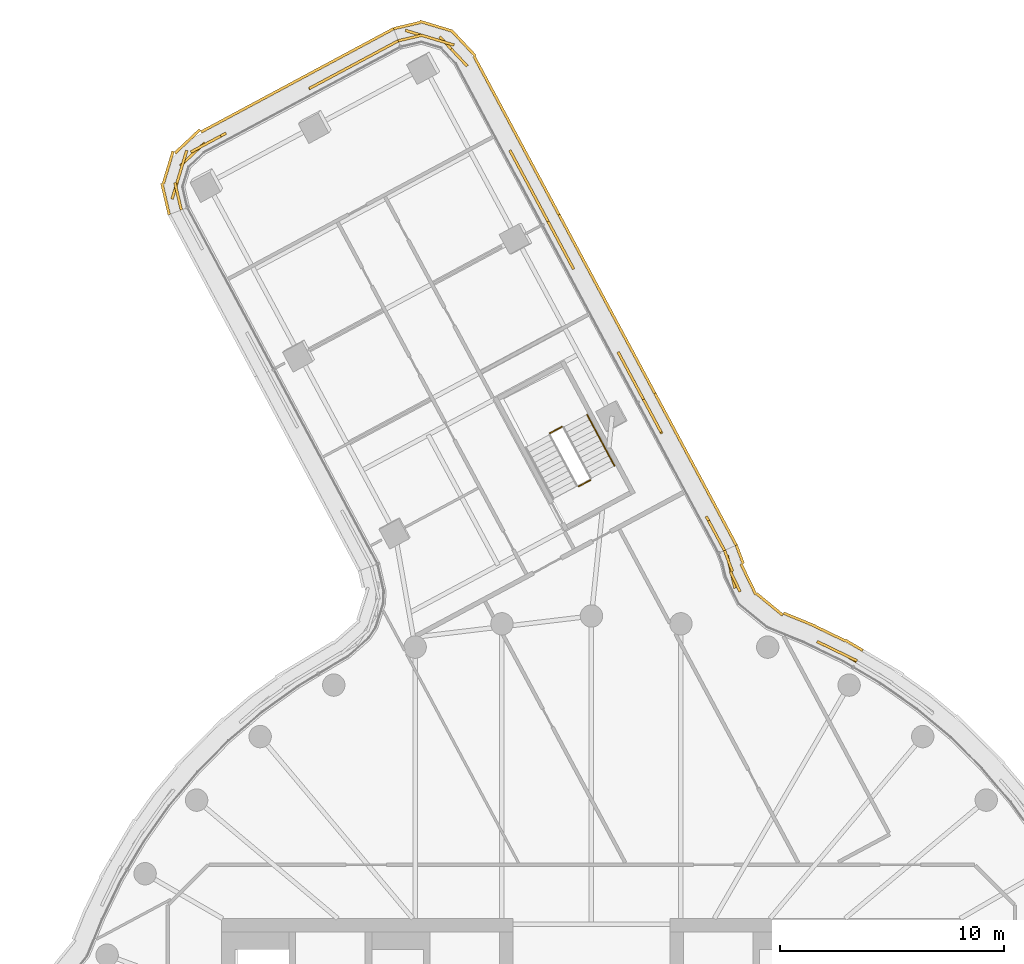
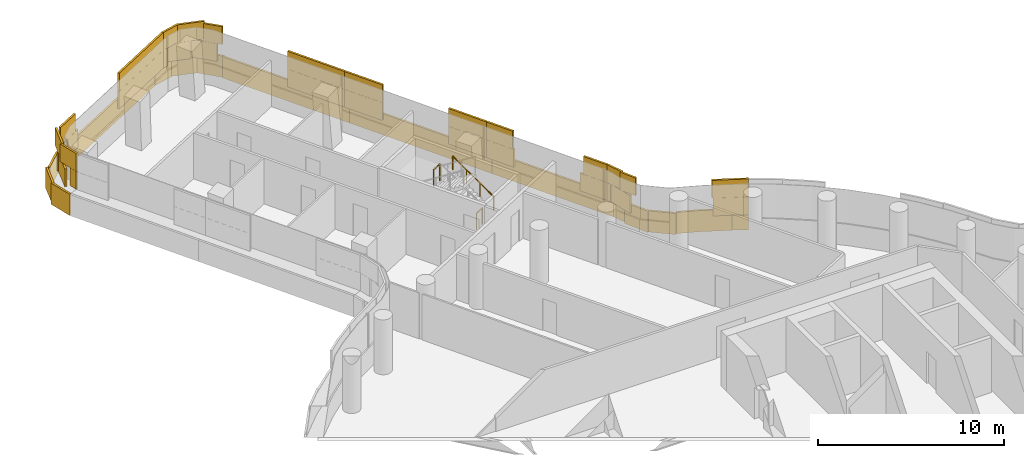
# One storey, part 32 of 33: 5 coverings, 3 railings.
"""IFC4 building model written with IfcOpenShell, lengths in metres."""

from ifc_helpers import new_model, si_unit, direction, frame, origin, origin_2d, place, context, subcontext, project, spatial, rectangle, circle, extrude, material, layer, layer_set, type_object, element, save


model = new_model("IFC4")

# Units and contexts
model_context = context("Model", 3, precision=1e-05, world=origin(), true_north=direction((0.0, 1.0)))
body_context = subcontext(model_context, "Body", "Model", "MODEL_VIEW")
ifc_project = project(units=[si_unit("LENGTHUNIT", "METRE"), si_unit("AREAUNIT", "SQUARE_METRE"), si_unit("VOLUMEUNIT", "CUBIC_METRE"), si_unit("PLANEANGLEUNIT", "RADIAN"), si_unit("MASSUNIT", "GRAM", prefix="KILO")], contexts=[model_context])

# Site, building, storey
site_placement = place(None, origin())
site = spatial("IfcSite", under=ifc_project, at=site_placement, CompositionType="ELEMENT")
building_placement = place(site_placement, origin())
building = spatial("IfcBuilding", under=site, at=building_placement, Name="Tamarind Cross Interchange Tower", CompositionType="ELEMENT")
storey_placement = place(building_placement, frame((0.0, 0.0, 136.75)))
storey = spatial("IfcBuildingStorey", under=building, at=storey_placement, Name="L33", CompositionType="ELEMENT", Elevation=136.75)

# Railings
ifc_material_1 = material(Name="Stair guard")
railing_type_1 = type_object("IfcRailingType", Name="Stair guard", PredefinedType="GUARDRAIL", material=ifc_material_1)
railing_1_placement = place(storey_placement, frame((-1.322509765625, 31.44677734375, 1.875)))
element("IfcRailing", 1, at=railing_1_placement, inside=storey, type_object=railing_type_1, Name="L33 ST4 stair guard 2", PredefinedType="GUARDRAIL", context=body_context, shape_type="SweptSolid", body=[
    extrude(circle(Radius=0.02392578125, at=origin_2d()), frame((0.0, 0.0, 1.076171875), z_axis=(-0.881371060373, -0.472424654244, 0.0), x_axis=(0.472424654244, -0.881371060373, 0.0)), (0.0, 0.0, 1.0), 0.60009765625),
    extrude(circle(Radius=0.02099609375, at=origin_2d()), origin(), (0.0, 0.0, 1.0), 1.052001953125),
    extrude(circle(Radius=0.02099609375, at=origin_2d()), frame((-0.52880859375, -0.283447265625, 0.0)), (0.0, 0.0, 1.0), 1.052001953125),
])
railing_2_placement = place(storey_placement, frame((-0.04638671875, 29.067626953125, 0.0)))
element("IfcRailing", 2, at=railing_2_placement, inside=storey, type_object=railing_type_1, Name="L33 ST4 stair guard 4", PredefinedType="GUARDRAIL", context=body_context, shape_type="SweptSolid", body=[
    extrude(circle(Radius=0.02392578125, at=origin_2d()), frame((0.0, 0.0, 1.076171875), z_axis=(-0.881110636147, -0.472910189008, 0.0), x_axis=(0.472910189008, -0.881110636147, 0.0)), (0.0, 0.0, 1.0), 0.599853515625),
    extrude(circle(Radius=0.02099609375, at=origin_2d()), origin(), (0.0, 0.0, 1.0), 1.052001953125),
    extrude(circle(Radius=0.02099609375, at=origin_2d()), frame((-0.528564453125, -0.28369140625, 0.0)), (0.0, 0.0, 1.0), 1.052001953125),
])
ifc_material_2 = material(Name="Stair handrail")
railing_type_2 = type_object("IfcRailingType", Name="Stair handrail", PredefinedType="HANDRAIL", material=ifc_material_2)
railing_3_placement = place(storey_placement, frame((1.031494140625, 29.702392578125, 0.17041015625)))
element("IfcRailing", 3, at=railing_3_placement, inside=storey, type_object=railing_type_2, Name="L33 ST4 stair handrail 1", PredefinedType="HANDRAIL", context=body_context, shape_type="SweptSolid", body=[
    extrude(circle(Radius=0.02392578125, at=origin_2d()), frame((0.0, 0.0, 0.8759765625), z_axis=(-0.395303833434, 0.73697387302, 0.548274009742), x_axis=(-0.88123277385, -0.47268255552, 0.0)), (0.0, 0.0, 1.0), 3.109130859375),
    extrude(circle(Radius=0.02099609375, at=origin_2d()), origin(), (0.0, 0.0, 1.0), 0.851806640625),
    extrude(circle(Radius=0.02099609375, at=origin_2d()), frame((-0.40966796875, 0.763671875, 0.568115234375)), (0.0, 0.0, 1.0), 0.851806640625),
    extrude(circle(Radius=0.02099609375, at=origin_2d()), frame((-0.8193359375, 1.527587890625, 1.136474609375)), (0.0, 0.0, 1.0), 0.851806640625),
    extrude(circle(Radius=0.02099609375, at=origin_2d()), frame((-1.22900390625, 2.291259765625, 1.70458984375)), (0.0, 0.0, 1.0), 0.851806640625),
])

# Coverings
ifc_material_3 = material(Name="Terracotta", Category="masonry")
ifc_layer = layer(ifc_material_3, 0.1201171875)
ifc_layer_set = layer_set([ifc_layer], Name="Terracotta")
covering_type = type_object("IfcCoveringType", Name="Terracotta baguette screen unit", PredefinedType="MOLDING", material=ifc_layer_set)
covering_1_placement = place(storey_placement, origin())
element("IfcCovering", 4, at=covering_1_placement, inside=storey, type_object=covering_type, Name="SCR-L33-00-00", PredefinedType="MOLDING", context=body_context, shape_type="SweptSolid", body=[
    extrude(rectangle(XDim=0.760009765625, YDim=0.1201171875, at=origin_2d()), frame((-8.949951171875, 48.494140625, 1.404052734375), z_axis=(0.0, 0.0, 1.0), x_axis=(-0.881224263054, -0.472698422046, 0.0)), (0.0, 0.0, 1.0), 1.1669921875),
    extrude(rectangle(XDim=1.52001953125, YDim=0.1201171875, at=origin_2d()), frame((-9.94140625, 47.96240234375, 1.404052734375), z_axis=(0.0, 0.0, 1.0), x_axis=(-0.881224263054, -0.472698422046, 0.0)), (0.0, 0.0, 1.0), 1.1669921875),
    extrude(rectangle(XDim=1.52001953125, YDim=0.1201171875, at=origin_2d()), frame((-11.26318359375, 47.25341796875, 1.404052734375), z_axis=(0.0, 0.0, 1.0), x_axis=(-0.881224263054, -0.472698422046, 0.0)), (0.0, 0.0, 1.0), 1.1669921875),
    extrude(rectangle(XDim=0.784912109375, YDim=0.1201171875, at=origin_2d()), frame((-12.265625, 46.7158203125, 1.404052734375), z_axis=(0.0, 0.0, 1.0), x_axis=(-0.881224263054, -0.472698422046, 0.0)), (0.0, 0.0, 1.0), 1.1669921875),
    extrude(rectangle(XDim=1.03515625, YDim=0.1201171875, at=origin_2d()), frame((-16.759765625, 44.304931640625, 1.404052734375), z_axis=(0.0, 0.0, 1.0), x_axis=(-0.881224263054, -0.472698422046, 0.0)), (0.0, 0.0, 1.0), 1.1669921875),
    extrude(rectangle(XDim=1.52001953125, YDim=0.1201171875, at=origin_2d()), frame((-17.7998046875, 43.607177734375, 1.404052734375), z_axis=(0.0, 0.0, 1.0), x_axis=(-0.728853920221, -0.684669236185, 0.0)), (0.0, 0.0, 1.0), 1.1669921875),
    extrude(rectangle(XDim=1.52001953125, YDim=0.1201171875, at=origin_2d()), frame((-18.494873046875, 42.33349609375, 1.404052734375), z_axis=(0.0, 0.0, 1.0), x_axis=(-0.288871392467, -0.957367911837, 0.0)), (0.0, 0.0, 1.0), 1.1669921875),
    extrude(rectangle(XDim=0.509521484375, YDim=0.1201171875, at=origin_2d()), frame((-18.358642578125, 41.363037109375, 1.404052734375), z_axis=(0.0, 0.0, 1.0), x_axis=(0.228513991615, -0.973540628652, 0.0)), (0.0, 0.0, 1.0), 1.1669921875),
    extrude(rectangle(XDim=1.510009765625, YDim=0.1201171875, at=origin_2d()), frame((-9.280517578125, 48.31689453125, 2.5791015625), z_axis=(0.0, 0.0, 1.0), x_axis=(-0.881224263054, -0.472698422046, 0.0)), (0.0, 0.0, 1.0), 1.1669921875),
    extrude(rectangle(XDim=1.52001953125, YDim=0.1201171875, at=origin_2d()), frame((-10.602294921875, 47.60791015625, 2.5791015625), z_axis=(0.0, 0.0, 1.0), x_axis=(-0.881224263054, -0.472698422046, 0.0)), (0.0, 0.0, 1.0), 1.1669921875),
    extrude(rectangle(XDim=1.52001953125, YDim=0.1201171875, at=origin_2d()), frame((-11.924072265625, 46.89892578125, 2.5791015625), z_axis=(0.0, 0.0, 1.0), x_axis=(-0.881224263054, -0.472698422046, 0.0)), (0.0, 0.0, 1.0), 1.1669921875),
    extrude(rectangle(XDim=1.52001953125, YDim=0.1201171875, at=origin_2d()), frame((-17.21142578125, 44.062744140625, 2.5791015625), z_axis=(0.0, 0.0, 1.0), x_axis=(-0.881224263054, -0.472698422046, 0.0)), (0.0, 0.0, 1.0), 1.1669921875),
    extrude(rectangle(XDim=1.52001953125, YDim=0.1201171875, at=origin_2d()), frame((-18.2783203125, 43.051513671875, 2.5791015625), z_axis=(0.0, 0.0, 1.0), x_axis=(-0.288871392467, -0.957367911837, 0.0)), (0.0, 0.0, 1.0), 1.1669921875),
    extrude(rectangle(XDim=1.259521484375, YDim=0.1201171875, at=origin_2d()), frame((-18.4443359375, 41.72802734375, 2.5791015625), z_axis=(0.0, 0.0, 1.0), x_axis=(0.228513991615, -0.973540628652, 0.0)), (0.0, 0.0, 1.0), 1.1669921875),
    extrude(rectangle(XDim=0.760009765625, YDim=0.1201171875, at=origin_2d()), frame((-9.1591796875, 49.033447265625, 0.00390625), z_axis=(0.0, 0.0, 1.0), x_axis=(-0.881224263054, -0.472698422046, 0.0)), (0.0, 0.0, 1.0), 1.39208984375),
    extrude(rectangle(XDim=1.52001953125, YDim=0.1201171875, at=origin_2d()), frame((-10.14599609375, 48.50390625, 0.00390625), z_axis=(0.0, 0.0, 1.0), x_axis=(-0.881224263054, -0.472698422046, 0.0)), (0.0, 0.0, 1.0), 1.39208984375),
    extrude(rectangle(XDim=1.52001953125, YDim=0.1201171875, at=origin_2d()), frame((-11.468017578125, 47.794921875, 0.00390625), z_axis=(0.0, 0.0, 1.0), x_axis=(-0.881224263054, -0.472698422046, 0.0)), (0.0, 0.0, 1.0), 1.39208984375),
    extrude(rectangle(XDim=1.52001953125, YDim=0.1201171875, at=origin_2d()), frame((-12.789794921875, 47.0859375, 0.00390625), z_axis=(0.0, 0.0, 1.0), x_axis=(-0.881224263054, -0.472698422046, 0.0)), (0.0, 0.0, 1.0), 1.39208984375),
    extrude(rectangle(XDim=1.52001953125, YDim=0.1201171875, at=origin_2d()), frame((-14.111572265625, 46.376953125, 0.00390625), z_axis=(0.0, 0.0, 1.0), x_axis=(-0.881224263054, -0.472698422046, 0.0)), (0.0, 0.0, 1.0), 1.39208984375),
    extrude(rectangle(XDim=1.52001953125, YDim=0.1201171875, at=origin_2d()), frame((-15.433349609375, 45.667724609375, 0.00390625), z_axis=(0.0, 0.0, 1.0), x_axis=(-0.881224263054, -0.472698422046, 0.0)), (0.0, 0.0, 1.0), 1.39208984375),
    extrude(rectangle(XDim=1.52001953125, YDim=0.1201171875, at=origin_2d()), frame((-16.75537109375, 44.958740234375, 0.00390625), z_axis=(0.0, 0.0, 1.0), x_axis=(-0.881224263054, -0.472698422046, 0.0)), (0.0, 0.0, 1.0), 1.39208984375),
    extrude(rectangle(XDim=1.52001953125, YDim=0.1201171875, at=origin_2d()), frame((-18.027587890625, 44.180908203125, 0.00390625), z_axis=(0.0, 0.0, 1.0), x_axis=(-0.728853920221, -0.684669236185, 0.0)), (0.0, 0.0, 1.0), 1.39208984375),
    extrude(rectangle(XDim=1.52001953125, YDim=0.1201171875, at=origin_2d()), frame((-18.89013671875, 43.0107421875, 0.00390625), z_axis=(0.0, 0.0, 1.0), x_axis=(-0.288871392467, -0.957367911837, 0.0)), (0.0, 0.0, 1.0), 1.39208984375),
    extrude(rectangle(XDim=1.426513671875, YDim=0.1201171875, at=origin_2d()), frame((-19.00634765625, 41.60986328125, 0.00390625), z_axis=(0.0, 0.0, 1.0), x_axis=(0.228513991615, -0.973540628652, 0.0)), (0.0, 0.0, 1.0), 1.39208984375),
])
covering_2_placement = place(storey_placement, origin())
element("IfcCovering", 5, at=covering_2_placement, inside=storey, type_object=covering_type, Name="SCR-L33-14-01", PredefinedType="MOLDING", context=body_context, shape_type="SweptSolid", body=[
    extrude(rectangle(XDim=0.41064453125, YDim=0.1201171875, at=origin_2d()), frame((11.6533203125, 21.06640625, 1.404052734375), z_axis=(0.0, 0.0, 1.0), x_axis=(-0.861248933065, 0.508183308752, 0.0)), (0.0, 0.0, 1.0), 1.1669921875),
    extrude(rectangle(XDim=1.52001953125, YDim=0.1201171875, at=origin_2d()), frame((10.810546875, 21.50390625, 1.404052734375), z_axis=(0.0, 0.0, 1.0), x_axis=(-0.900272776334, 0.435326231914, 0.0)), (0.0, 0.0, 1.0), 1.1669921875),
    extrude(rectangle(XDim=1.52001953125, YDim=0.1201171875, at=origin_2d()), frame((6.2333984375, 24.978759765625, 1.404052734375), z_axis=(0.0, 0.0, 1.0), x_axis=(-0.228513991615, 0.973540628652, 0.0)), (0.0, 0.0, 1.0), 1.1669921875),
    extrude(rectangle(XDim=0.254150390625, YDim=0.1201171875, at=origin_2d()), frame((5.982666015625, 25.81201171875, 1.404052734375), z_axis=(0.0, 0.0, 1.0), x_axis=(-0.353631573969, 0.935384792421, 0.0)), (0.0, 0.0, 1.0), 1.1669921875),
    extrude(rectangle(XDim=1.16064453125, YDim=0.1201171875, at=origin_2d()), frame((11.328369140625, 21.25341796875, 2.5791015625), z_axis=(0.0, 0.0, 1.0), x_axis=(-0.900272776334, 0.435326231914, 0.0)), (0.0, 0.0, 1.0), 1.1669921875),
    extrude(rectangle(XDim=0.831787109375, YDim=0.1201171875, at=origin_2d()), frame((10.440673828125, 21.682861328125, 2.5791015625), z_axis=(0.0, 0.0, 1.0), x_axis=(-0.900272776334, 0.435326231914, 0.0)), (0.0, 0.0, 1.0), 1.1669921875),
    extrude(rectangle(XDim=0.98828125, YDim=0.1201171875, at=origin_2d()), frame((6.421875, 24.52978515625, 2.5791015625), z_axis=(0.0, 0.0, 1.0), x_axis=(-0.435397658199, 0.900238234711, 0.0)), (0.0, 0.0, 1.0), 1.1669921875),
    extrude(rectangle(XDim=1.004150390625, YDim=0.1201171875, at=origin_2d()), frame((6.115234375, 25.46142578125, 2.5791015625), z_axis=(0.0, 0.0, 1.0), x_axis=(-0.353631573969, 0.935384792421, 0.0)), (0.0, 0.0, 1.0), 1.1669921875),
    extrude(rectangle(XDim=0.914794921875, YDim=0.1201171875, at=origin_2d()), frame((11.7138671875, 21.697265625, 0.00390625), z_axis=(0.0, 0.0, 1.0), x_axis=(-0.861248933065, 0.508183308752, 0.0)), (0.0, 0.0, 1.0), 1.39208984375),
    extrude(rectangle(XDim=1.52001953125, YDim=0.1201171875, at=origin_2d()), frame((10.63916015625, 22.224365234375, 0.00390625), z_axis=(0.0, 0.0, 1.0), x_axis=(-0.900272776334, 0.435326231914, 0.0)), (0.0, 0.0, 1.0), 1.39208984375),
    extrude(rectangle(XDim=1.52001953125, YDim=0.1201171875, at=origin_2d()), frame((9.27392578125, 22.844482421875, 0.00390625), z_axis=(0.0, 0.0, 1.0), x_axis=(-0.925394198634, 0.379006038387, 0.0)), (0.0, 0.0, 1.0), 1.39208984375),
    extrude(rectangle(XDim=1.52001953125, YDim=0.1201171875, at=origin_2d()), frame((7.95068359375, 23.521484375, 0.00390625), z_axis=(0.0, 0.0, 1.0), x_axis=(-0.772623877256, 0.634864036069, 0.0)), (0.0, 0.0, 1.0), 1.39208984375),
    extrude(rectangle(XDim=1.52001953125, YDim=0.1201171875, at=origin_2d()), frame((7.00537109375, 24.641845703125, 0.00390625), z_axis=(0.0, 0.0, 1.0), x_axis=(-0.435397658199, 0.900238234711, 0.0)), (0.0, 0.0, 1.0), 1.39208984375),
    extrude(rectangle(XDim=0.882568359375, YDim=0.1201171875, at=origin_2d()), frame((6.619140625, 25.751708984375, 0.00390625), z_axis=(0.0, 0.0, 1.0), x_axis=(-0.353631573969, 0.935384792421, 0.0)), (0.0, 0.0, 1.0), 1.39208984375),
])
covering_3_placement = place(storey_placement, origin())
element("IfcCovering", 6, at=covering_3_placement, inside=storey, type_object=covering_type, Name="SCR-L33-15-00", PredefinedType="MOLDING", context=body_context, shape_type="SweptSolid", body=[
    extrude(rectangle(XDim=0.760009765625, YDim=0.1201171875, at=origin_2d()), frame((5.76220703125, 26.2568359375, 1.404052734375), z_axis=(0.0, 0.0, 1.0), x_axis=(-0.472698422046, 0.881224263054, 0.0)), (0.0, 0.0, 1.0), 1.1669921875),
    extrude(rectangle(XDim=0.983642578125, YDim=0.1201171875, at=origin_2d()), frame((5.35498046875, 27.01611328125, 1.404052734375), z_axis=(0.0, 0.0, 1.0), x_axis=(-0.472698422046, 0.881224263054, 0.0)), (0.0, 0.0, 1.0), 1.1669921875),
    extrude(rectangle(XDim=0.83642578125, YDim=0.1201171875, at=origin_2d()), frame((2.944091796875, 31.510498046875, 1.404052734375), z_axis=(0.0, 0.0, 1.0), x_axis=(-0.472698422046, 0.881224263054, 0.0)), (0.0, 0.0, 1.0), 1.1669921875),
    extrude(rectangle(XDim=0.9072265625, YDim=0.1201171875, at=origin_2d()), frame((2.53662109375, 32.27001953125, 1.404052734375), z_axis=(0.0, 0.0, 1.0), x_axis=(-0.472698422046, 0.881224263054, 0.0)), (0.0, 0.0, 1.0), 1.1669921875),
    extrude(rectangle(XDim=1.510009765625, YDim=0.1201171875, at=origin_2d()), frame((5.5849609375, 26.587158203125, 2.5791015625), z_axis=(0.0, 0.0, 1.0), x_axis=(-0.472698422046, 0.881224263054, 0.0)), (0.0, 0.0, 1.0), 1.1669921875),
    extrude(rectangle(XDim=1.52001953125, YDim=0.1201171875, at=origin_2d()), frame((2.748779296875, 31.87451171875, 2.5791015625), z_axis=(0.0, 0.0, 1.0), x_axis=(-0.472698422046, 0.881224263054, 0.0)), (0.0, 0.0, 1.0), 1.1669921875),
    extrude(rectangle(XDim=0.1572265625, YDim=0.1201171875, at=origin_2d()), frame((2.359375, 32.600341796875, 2.5791015625), z_axis=(0.0, 0.0, 1.0), x_axis=(-0.472698422046, 0.881224263054, 0.0)), (0.0, 0.0, 1.0), 1.1669921875),
    extrude(rectangle(XDim=0.760009765625, YDim=0.1201171875, at=origin_2d()), frame((6.283447265625, 26.499267578125, 0.00390625), z_axis=(0.0, 0.0, 1.0), x_axis=(-0.472698422046, 0.881224263054, 0.0)), (0.0, 0.0, 1.0), 1.39208984375),
    extrude(rectangle(XDim=1.52001953125, YDim=0.1201171875, at=origin_2d()), frame((5.754150390625, 27.486328125, 0.00390625), z_axis=(0.0, 0.0, 1.0), x_axis=(-0.472698422046, 0.881224263054, 0.0)), (0.0, 0.0, 1.0), 1.39208984375),
    extrude(rectangle(XDim=1.52001953125, YDim=0.1201171875, at=origin_2d()), frame((5.044921875, 28.80810546875, 0.00390625), z_axis=(0.0, 0.0, 1.0), x_axis=(-0.472698422046, 0.881224263054, 0.0)), (0.0, 0.0, 1.0), 1.39208984375),
    extrude(rectangle(XDim=1.52001953125, YDim=0.1201171875, at=origin_2d()), frame((4.3359375, 30.1298828125, 0.00390625), z_axis=(0.0, 0.0, 1.0), x_axis=(-0.472698422046, 0.881224263054, 0.0)), (0.0, 0.0, 1.0), 1.39208984375),
    extrude(rectangle(XDim=1.52001953125, YDim=0.1201171875, at=origin_2d()), frame((3.626953125, 31.451904296875, 0.00390625), z_axis=(0.0, 0.0, 1.0), x_axis=(-0.472698422046, 0.881224263054, 0.0)), (0.0, 0.0, 1.0), 1.39208984375),
    extrude(rectangle(XDim=0.942138671875, YDim=0.1201171875, at=origin_2d()), frame((3.054443359375, 32.51904296875, 0.00390625), z_axis=(0.0, 0.0, 1.0), x_axis=(-0.472698422046, 0.881224263054, 0.0)), (0.0, 0.0, 1.0), 1.39208984375),
])
covering_4_placement = place(storey_placement, origin())
element("IfcCovering", 7, at=covering_4_placement, inside=storey, type_object=covering_type, Name="SCR-L33-15-01", PredefinedType="MOLDING", context=body_context, shape_type="SweptSolid", body=[
    extrude(rectangle(XDim=0.61279296875, YDim=0.1201171875, at=origin_2d()), frame((2.18212890625, 32.930908203125, 1.404052734375), z_axis=(0.0, 0.0, 1.0), x_axis=(-0.472698422046, 0.881224263054, 0.0)), (0.0, 0.0, 1.0), 1.1669921875),
    extrude(rectangle(XDim=1.52001953125, YDim=0.1201171875, at=origin_2d()), frame((1.685302734375, 33.857421875, 1.404052734375), z_axis=(0.0, 0.0, 1.0), x_axis=(-0.472698422046, 0.881224263054, 0.0)), (0.0, 0.0, 1.0), 1.1669921875),
    extrude(rectangle(XDim=0.310546875, YDim=0.1201171875, at=origin_2d()), frame((1.259765625, 34.650634765625, 1.404052734375), z_axis=(0.0, 0.0, 1.0), x_axis=(-0.472698422046, 0.881224263054, 0.0)), (0.0, 0.0, 1.0), 1.1669921875),
    extrude(rectangle(XDim=1.509521484375, YDim=0.1201171875, at=origin_2d()), frame((-1.151123046875, 39.144775390625, 1.404052734375), z_axis=(0.0, 0.0, 1.0), x_axis=(-0.472698422046, 0.881224263054, 0.0)), (0.0, 0.0, 1.0), 1.1669921875),
    extrude(rectangle(XDim=0.91357421875, YDim=0.1201171875, at=origin_2d()), frame((-1.718994140625, 40.203857421875, 1.404052734375), z_axis=(0.0, 0.0, 1.0), x_axis=(-0.472698422046, 0.881224263054, 0.0)), (0.0, 0.0, 1.0), 1.1669921875),
    extrude(rectangle(XDim=1.36279296875, YDim=0.1201171875, at=origin_2d()), frame((2.0048828125, 33.26123046875, 2.5791015625), z_axis=(0.0, 0.0, 1.0), x_axis=(-0.472698422046, 0.881224263054, 0.0)), (0.0, 0.0, 1.0), 1.1669921875),
    extrude(rectangle(XDim=1.060546875, YDim=0.1201171875, at=origin_2d()), frame((1.43701171875, 34.320068359375, 2.5791015625), z_axis=(0.0, 0.0, 1.0), x_axis=(-0.472698422046, 0.881224263054, 0.0)), (0.0, 0.0, 1.0), 1.1669921875),
    extrude(rectangle(XDim=0.759521484375, YDim=0.1201171875, at=origin_2d()), frame((-0.973876953125, 38.814453125, 2.5791015625), z_axis=(0.0, 0.0, 1.0), x_axis=(-0.472698422046, 0.881224263054, 0.0)), (0.0, 0.0, 1.0), 1.1669921875),
    extrude(rectangle(XDim=1.52001953125, YDim=0.1201171875, at=origin_2d()), frame((-1.50537109375, 39.8056640625, 2.5791015625), z_axis=(0.0, 0.0, 1.0), x_axis=(-0.472698422046, 0.881224263054, 0.0)), (0.0, 0.0, 1.0), 1.1669921875),
    extrude(rectangle(XDim=0.16357421875, YDim=0.1201171875, at=origin_2d()), frame((-1.896240234375, 40.5341796875, 2.5791015625), z_axis=(0.0, 0.0, 1.0), x_axis=(-0.472698422046, 0.881224263054, 0.0)), (0.0, 0.0, 1.0), 1.1669921875),
    extrude(rectangle(XDim=0.577880859375, YDim=0.1201171875, at=origin_2d()), frame((2.6953125, 33.188720703125, 0.00390625), z_axis=(0.0, 0.0, 1.0), x_axis=(-0.472698422046, 0.881224263054, 0.0)), (0.0, 0.0, 1.0), 1.39208984375),
    extrude(rectangle(XDim=1.52001953125, YDim=0.1201171875, at=origin_2d()), frame((2.208740234375, 34.095458984375, 0.00390625), z_axis=(0.0, 0.0, 1.0), x_axis=(-0.472698422046, 0.881224263054, 0.0)), (0.0, 0.0, 1.0), 1.39208984375),
    extrude(rectangle(XDim=1.52001953125, YDim=0.1201171875, at=origin_2d()), frame((1.499755859375, 35.417236328125, 0.00390625), z_axis=(0.0, 0.0, 1.0), x_axis=(-0.472698422046, 0.881224263054, 0.0)), (0.0, 0.0, 1.0), 1.39208984375),
    extrude(rectangle(XDim=1.52001953125, YDim=0.1201171875, at=origin_2d()), frame((0.790771484375, 36.7392578125, 0.00390625), z_axis=(0.0, 0.0, 1.0), x_axis=(-0.472698422046, 0.881224263054, 0.0)), (0.0, 0.0, 1.0), 1.39208984375),
    extrude(rectangle(XDim=1.52001953125, YDim=0.1201171875, at=origin_2d()), frame((0.081787109375, 38.06103515625, 0.00390625), z_axis=(0.0, 0.0, 1.0), x_axis=(-0.472698422046, 0.881224263054, 0.0)), (0.0, 0.0, 1.0), 1.39208984375),
    extrude(rectangle(XDim=1.52001953125, YDim=0.1201171875, at=origin_2d()), frame((-0.62744140625, 39.3828125, 0.00390625), z_axis=(0.0, 0.0, 1.0), x_axis=(-0.472698422046, 0.881224263054, 0.0)), (0.0, 0.0, 1.0), 1.39208984375),
    extrude(rectangle(XDim=0.989501953125, YDim=0.1201171875, at=origin_2d()), frame((-1.2109375, 40.470947265625, 0.00390625), z_axis=(0.0, 0.0, 1.0), x_axis=(-0.472698422046, 0.881224263054, 0.0)), (0.0, 0.0, 1.0), 1.39208984375),
])
covering_5_placement = place(storey_placement, origin())
element("IfcCovering", 8, at=covering_5_placement, inside=storey, type_object=covering_type, Name="SCR-L33-15-02", PredefinedType="MOLDING", context=body_context, shape_type="SweptSolid", body=[
    extrude(rectangle(XDim=0.606201171875, YDim=0.1201171875, at=origin_2d()), frame((-2.073486328125, 40.86474609375, 1.404052734375), z_axis=(0.0, 0.0, 1.0), x_axis=(-0.472698422046, 0.881224263054, 0.0)), (0.0, 0.0, 1.0), 1.1669921875),
    extrude(rectangle(XDim=1.52001953125, YDim=0.1201171875, at=origin_2d()), frame((-2.569091796875, 41.788330078125, 1.404052734375), z_axis=(0.0, 0.0, 1.0), x_axis=(-0.472698422046, 0.881224263054, 0.0)), (0.0, 0.0, 1.0), 1.1669921875),
    extrude(rectangle(XDim=1.52001953125, YDim=0.1201171875, at=origin_2d()), frame((-3.278076171875, 43.110107421875, 1.404052734375), z_axis=(0.0, 0.0, 1.0), x_axis=(-0.472698422046, 0.881224263054, 0.0)), (0.0, 0.0, 1.0), 1.1669921875),
    extrude(rectangle(XDim=1.52001953125, YDim=0.1201171875, at=origin_2d()), frame((-6.252685546875, 48.298095703125, 1.404052734375), z_axis=(0.0, 0.0, 1.0), x_axis=(-0.684669236185, 0.728853920221, 0.0)), (0.0, 0.0, 1.0), 1.1669921875),
    extrude(rectangle(XDim=1.52001953125, YDim=0.1201171875, at=origin_2d()), frame((-7.574462890625, 48.915771484375, 1.404052734375), z_axis=(0.0, 0.0, 1.0), x_axis=(-0.957367911837, 0.288871392467, 0.0)), (0.0, 0.0, 1.0), 1.1669921875),
    extrude(rectangle(XDim=0.33349609375, YDim=0.1201171875, at=origin_2d()), frame((-8.462158203125, 48.70849609375, 1.404052734375), z_axis=(0.0, 0.0, 1.0), x_axis=(-0.973540628652, -0.228513991615, 0.0)), (0.0, 0.0, 1.0), 1.1669921875),
    extrude(rectangle(XDim=1.356201171875, YDim=0.1201171875, at=origin_2d()), frame((-2.2509765625, 41.195068359375, 2.5791015625), z_axis=(0.0, 0.0, 1.0), x_axis=(-0.472698422046, 0.881224263054, 0.0)), (0.0, 0.0, 1.0), 1.1669921875),
    extrude(rectangle(XDim=1.52001953125, YDim=0.1201171875, at=origin_2d()), frame((-2.923583984375, 42.44921875, 2.5791015625), z_axis=(0.0, 0.0, 1.0), x_axis=(-0.472698422046, 0.881224263054, 0.0)), (0.0, 0.0, 1.0), 1.1669921875),
    extrude(rectangle(XDim=0.773681640625, YDim=0.1201171875, at=origin_2d()), frame((-3.45849609375, 43.446533203125, 2.5791015625), z_axis=(0.0, 0.0, 1.0), x_axis=(-0.472698422046, 0.881224263054, 0.0)), (0.0, 0.0, 1.0), 1.1669921875),
    extrude(rectangle(XDim=1.04638671875, YDim=0.1201171875, at=origin_2d()), frame((-5.897705078125, 47.92041015625, 2.5791015625), z_axis=(0.0, 0.0, 1.0), x_axis=(-0.684669236185, 0.728853920221, 0.0)), (0.0, 0.0, 1.0), 1.1669921875),
    extrude(rectangle(XDim=1.52001953125, YDim=0.1201171875, at=origin_2d()), frame((-6.8564453125, 48.698974609375, 2.5791015625), z_axis=(0.0, 0.0, 1.0), x_axis=(-0.957367911837, 0.288871392467, 0.0)), (0.0, 0.0, 1.0), 1.1669921875),
    extrude(rectangle(XDim=1.08349609375, YDim=0.1201171875, at=origin_2d()), frame((-8.096923828125, 48.794189453125, 2.5791015625), z_axis=(0.0, 0.0, 1.0), x_axis=(-0.973540628652, -0.228513991615, 0.0)), (0.0, 0.0, 1.0), 1.1669921875),
    extrude(rectangle(XDim=0.530517578125, YDim=0.1201171875, at=origin_2d()), frame((-1.5703125, 41.140625, 0.00390625), z_axis=(0.0, 0.0, 1.0), x_axis=(-0.472698422046, 0.881224263054, 0.0)), (0.0, 0.0, 1.0), 1.39208984375),
    extrude(rectangle(XDim=1.52001953125, YDim=0.1201171875, at=origin_2d()), frame((-2.04541015625, 42.026611328125, 0.00390625), z_axis=(0.0, 0.0, 1.0), x_axis=(-0.472698422046, 0.881224263054, 0.0)), (0.0, 0.0, 1.0), 1.39208984375),
    extrude(rectangle(XDim=1.52001953125, YDim=0.1201171875, at=origin_2d()), frame((-2.75439453125, 43.348388671875, 0.00390625), z_axis=(0.0, 0.0, 1.0), x_axis=(-0.472698422046, 0.881224263054, 0.0)), (0.0, 0.0, 1.0), 1.39208984375),
    extrude(rectangle(XDim=1.52001953125, YDim=0.1201171875, at=origin_2d()), frame((-3.463623046875, 44.670166015625, 0.00390625), z_axis=(0.0, 0.0, 1.0), x_axis=(-0.472698422046, 0.881224263054, 0.0)), (0.0, 0.0, 1.0), 1.39208984375),
    extrude(rectangle(XDim=1.52001953125, YDim=0.1201171875, at=origin_2d()), frame((-4.172607421875, 45.991943359375, 0.00390625), z_axis=(0.0, 0.0, 1.0), x_axis=(-0.472698422046, 0.881224263054, 0.0)), (0.0, 0.0, 1.0), 1.39208984375),
    extrude(rectangle(XDim=1.52001953125, YDim=0.1201171875, at=origin_2d()), frame((-4.881591796875, 47.31396484375, 0.00390625), z_axis=(0.0, 0.0, 1.0), x_axis=(-0.472698422046, 0.881224263054, 0.0)), (0.0, 0.0, 1.0), 1.39208984375),
    extrude(rectangle(XDim=1.52001953125, YDim=0.1201171875, at=origin_2d()), frame((-5.705078125, 48.553466796875, 0.00390625), z_axis=(0.0, 0.0, 1.0), x_axis=(-0.684669236185, 0.728853920221, 0.0)), (0.0, 0.0, 1.0), 1.39208984375),
    extrude(rectangle(XDim=1.52001953125, YDim=0.1201171875, at=origin_2d()), frame((-6.933349609375, 49.32177734375, 0.00390625), z_axis=(0.0, 0.0, 1.0), x_axis=(-0.957367911837, 0.288871392467, 0.0)), (0.0, 0.0, 1.0), 1.39208984375),
    extrude(rectangle(XDim=1.213134765625, YDim=0.1201171875, at=origin_2d()), frame((-8.23388671875, 49.3515625, 0.00390625), z_axis=(0.0, 0.0, 1.0), x_axis=(-0.973540628652, -0.228513991615, 0.0)), (0.0, 0.0, 1.0), 1.39208984375),
])

save(model, "model.ifc")
